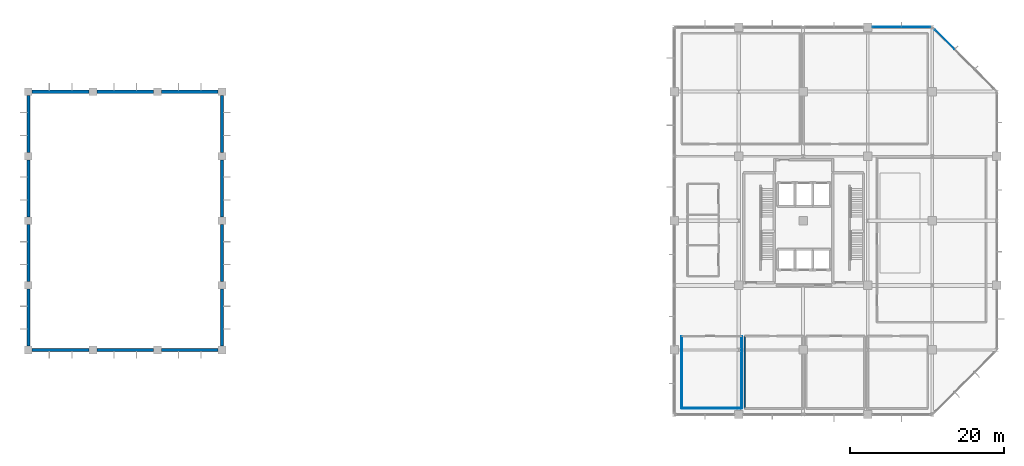
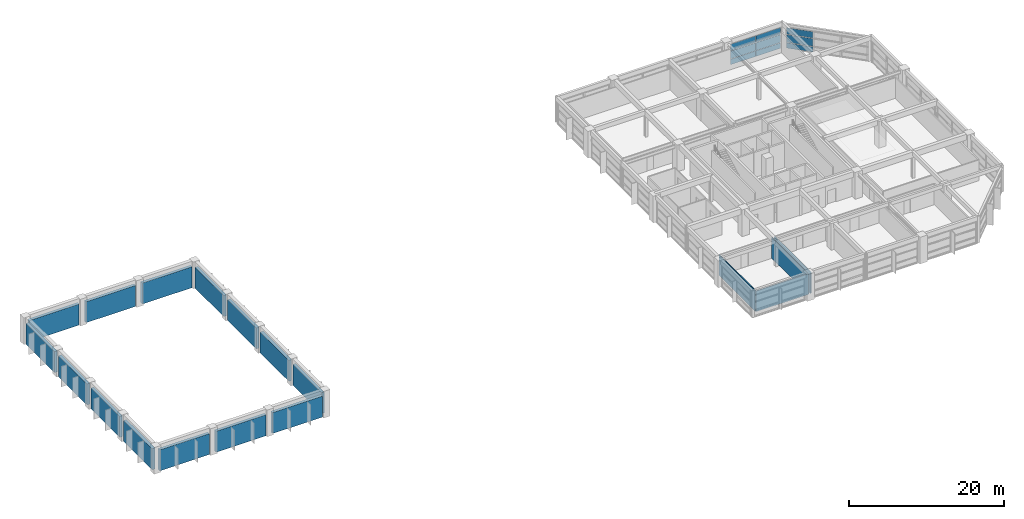
# One storey, part 15 of 19: 18 walls, 9 plates, 2 elements without a shape of their own.
"""IFC4 building model written with IfcOpenShell, lengths in metres."""

from ifc_helpers import new_model, si_unit, direction, frame, frame_2d, origin, origin_2d, place, context, subcontext, project, spatial, rectangle, extrude, material, layer, layer_set, type_object, element, aggregate, save


model = new_model("IFC4")

# Units and contexts
model_context = context("Model", 3, precision=1e-05, world=origin(), true_north=direction((0.0, 1.0)))
body_context = subcontext(model_context, "Body", "Model", "MODEL_VIEW")
ifc_project = project(units=[si_unit("LENGTHUNIT", "METRE"), si_unit("AREAUNIT", "SQUARE_METRE"), si_unit("VOLUMEUNIT", "CUBIC_METRE"), si_unit("PLANEANGLEUNIT", "RADIAN"), si_unit("MASSUNIT", "GRAM", prefix="KILO")], contexts=[model_context])

# Site, building, storey
site_placement = place(None, origin())
site = spatial("IfcSite", under=ifc_project, at=site_placement, CompositionType="ELEMENT")
building_placement = place(site_placement, origin())
building = spatial("IfcBuilding", under=site, at=building_placement, Name="Xuanlan Plaza Opera House", CompositionType="ELEMENT")
storey_placement = place(building_placement, frame((0.0, 0.0, 36.300048828125)))
storey = spatial("IfcBuildingStorey", under=building, at=storey_placement, Name="L08", CompositionType="ELEMENT", Elevation=36.300048828125)

# Curtain wall, plates
ifc_material_1 = material(Name="Anodised Aluminium 6063-T6 and Low-E Glass", Category="aluminium")
curtain_wall_type_1 = type_object("IfcCurtainWallType", Name="ENV-CW-CW-01", PredefinedType="USERDEFINED", material=ifc_material_1)
curtain_wall_1_placement = place(storey_placement, origin())
curtain_wall_1 = element("IfcCurtainWall", 1, at=curtain_wall_1_placement, inside=storey, type_object=curtain_wall_type_1, Name="Unitised Curtain Wall L08-011", ObjectType="UNITISED CURTAIN WALL", PredefinedType="USERDEFINED")
ifc_material_2 = material(Name="Laminated Acoustic Double Glazing", Category="glass")
ifc_layer_1 = layer(ifc_material_2, 0.035888671875)
ifc_layer_set_1 = layer_set([ifc_layer_1], Name="Laminated Acoustic Double Glazing")
plate_type_1 = type_object("IfcPlateType", Name="ENV-CWP-03", PredefinedType="CURTAIN_PANEL", material=ifc_layer_set_1)
plate_1_placement = place(storey_placement, frame((157.461181640625, 84.0, 0.06982421875), z_axis=(0.0, 0.0, 1.0), x_axis=(-1.0, 0.0, 0.0)))
plate_1 = element("IfcPlate", 2, at=plate_1_placement, type_object=plate_type_1, Name="CW-01 panel 1.1", PredefinedType="CURTAIN_PANEL", context=body_context, shape_type="SweptSolid", body=[
    extrude(rectangle(XDim=3.70751953125, YDim=0.035888671875, at=origin_2d()), origin(), (0.0, 0.0, 1.0), 0.844970703125),
])
plate_2_placement = place(storey_placement, frame((157.461181640625, 84.0, 0.98486328125), z_axis=(0.0, 0.0, 1.0), x_axis=(-1.0, 0.0, 0.0)))
plate_2 = element("IfcPlate", 3, at=plate_2_placement, type_object=plate_type_1, Name="CW-01 panel 1.2", PredefinedType="CURTAIN_PANEL", context=body_context, shape_type="SweptSolid", body=[
    extrude(rectangle(XDim=3.70751953125, YDim=0.035888671875, at=origin_2d()), origin(), (0.0, 0.0, 1.0), 1.22998046875),
])
plate_3_placement = place(storey_placement, frame((157.461181640625, 84.0, 2.284912109375), z_axis=(0.0, 0.0, 1.0), x_axis=(-1.0, 0.0, 0.0)))
plate_3 = element("IfcPlate", 4, at=plate_3_placement, type_object=plate_type_1, Name="CW-01 panel 1.3", PredefinedType="CURTAIN_PANEL", context=body_context, shape_type="SweptSolid", body=[
    extrude(rectangle(XDim=3.70751953125, YDim=0.035888671875, at=origin_2d()), origin(), (0.0, 0.0, 1.0), 1.02490234375),
])
plate_4_placement = place(storey_placement, frame((153.688720703125, 84.0, 0.06982421875), z_axis=(0.0, 0.0, 1.0), x_axis=(-1.0, 0.0, 0.0)))
plate_4 = element("IfcPlate", 5, at=plate_4_placement, type_object=plate_type_1, Name="CW-01 panel 2.1", PredefinedType="CURTAIN_PANEL", context=body_context, shape_type="SweptSolid", body=[
    extrude(rectangle(XDim=3.70751953125, YDim=0.035888671875, at=origin_2d()), origin(), (0.0, 0.0, 1.0), 0.844970703125),
])
plate_5_placement = place(storey_placement, frame((153.688720703125, 84.0, 0.98486328125), z_axis=(0.0, 0.0, 1.0), x_axis=(-1.0, 0.0, 0.0)))
plate_5 = element("IfcPlate", 6, at=plate_5_placement, type_object=plate_type_1, Name="CW-01 panel 2.2", PredefinedType="CURTAIN_PANEL", context=body_context, shape_type="SweptSolid", body=[
    extrude(rectangle(XDim=3.70751953125, YDim=0.035888671875, at=origin_2d()), origin(), (0.0, 0.0, 1.0), 1.22998046875),
])
plate_6_placement = place(storey_placement, frame((153.688720703125, 84.0, 2.284912109375), z_axis=(0.0, 0.0, 1.0), x_axis=(-1.0, 0.0, 0.0)))
plate_6 = element("IfcPlate", 7, at=plate_6_placement, type_object=plate_type_1, Name="CW-01 panel 2.3", PredefinedType="CURTAIN_PANEL", context=body_context, shape_type="SweptSolid", body=[
    extrude(rectangle(XDim=3.70751953125, YDim=0.035888671875, at=origin_2d()), origin(), (0.0, 0.0, 1.0), 1.02490234375),
])
aggregate(curtain_wall_1, [plate_1, plate_2, plate_3, plate_4, plate_5, plate_6])

curtain_wall_type_2 = type_object("IfcCurtainWallType", Name="ENV-CW-CW-04", PredefinedType="USERDEFINED", material=ifc_material_1)
curtain_wall_2_placement = place(storey_placement, origin())
curtain_wall_2 = element("IfcCurtainWall", 8, at=curtain_wall_2_placement, inside=storey, type_object=curtain_wall_type_2, Name="Unitised Curtain Wall L08-010", ObjectType="UNITISED CURTAIN WALL", PredefinedType="USERDEFINED")
ifc_layer_2 = layer(ifc_material_2, 0.0439453125)
ifc_layer_set_2 = layer_set([ifc_layer_2], Name="Laminated Acoustic Double Glazing")
plate_type_2 = type_object("IfcPlateType", Name="ENV-CWP-05", PredefinedType="CURTAIN_PANEL", material=ifc_layer_set_2)
plate_7_placement = place(storey_placement, frame((161.21533203125, 82.384765625, 0.090087890625), z_axis=(0.0, 0.0, 1.0), x_axis=(-0.707106781187, 0.707106781187, 0.0)))
plate_7 = element("IfcPlate", 9, at=plate_7_placement, type_object=plate_type_2, Name="CW-04 panel 3.1", PredefinedType="CURTAIN_PANEL", context=body_context, shape_type="SweptSolid", body=[
    extrude(rectangle(XDim=3.54296875, YDim=0.0439453125, at=origin_2d()), origin(), (0.0, 0.0, 1.0), 0.81494140625),
])
plate_8_placement = place(storey_placement, frame((161.21533203125, 82.384765625, 0.994873046875), z_axis=(0.0, 0.0, 1.0), x_axis=(-0.707106781187, 0.707106781187, 0.0)))
plate_8 = element("IfcPlate", 10, at=plate_8_placement, type_object=plate_type_2, Name="CW-04 panel 3.2", PredefinedType="CURTAIN_PANEL", context=body_context, shape_type="SweptSolid", body=[
    extrude(rectangle(XDim=3.54296875, YDim=0.0439453125, at=origin_2d()), origin(), (0.0, 0.0, 1.0), 1.2099609375),
])
plate_9_placement = place(storey_placement, frame((161.21533203125, 82.384765625, 2.294921875), z_axis=(0.0, 0.0, 1.0), x_axis=(-0.707106781187, 0.707106781187, 0.0)))
plate_9 = element("IfcPlate", 11, at=plate_9_placement, type_object=plate_type_2, Name="CW-04 panel 3.3", PredefinedType="CURTAIN_PANEL", context=body_context, shape_type="SweptSolid", body=[
    extrude(rectangle(XDim=3.54296875, YDim=0.0439453125, at=origin_2d()), origin(), (0.0, 0.0, 1.0), 0.9951171875),
])
aggregate(curtain_wall_2, [plate_7, plate_8, plate_9])

# Walls
ifc_material_3 = material(Name="Concrete C40", Category="concrete")
ifc_layer_3 = layer(ifc_material_3, 0.419921875)
ifc_layer_set_3 = layer_set([ifc_layer_3], Name="Concrete C40")
wall_type_1 = type_object("IfcWallType", Name="ENV-WL-EW-FLY", PredefinedType="SHEAR", material=ifc_layer_set_3)
wall_1_placement = place(storey_placement, frame((42.5, 42.0, 0.0), z_axis=(0.0, 0.0, 1.0), x_axis=(1.0, 0.0, 0.0)))
element("IfcWall", 12, at=wall_1_placement, inside=storey, type_object=wall_type_1, Name="Fly Tower Acoustic Enclosure Wall L08-01", PredefinedType="SHEAR", context=body_context, shape_type="SweptSolid", body=[
    extrude(rectangle(XDim=7.39990234375, YDim=0.419921875, at=frame_2d((3.699951171875, 0.0))), origin(), (0.0, 0.0, 1.0), 3.300048828125),
])
wall_2_placement = place(storey_placement, frame((50.89990234375, 42.0, 0.0), z_axis=(0.0, 0.0, 1.0), x_axis=(1.0, 0.0, 0.0)))
element("IfcWall", 13, at=wall_2_placement, inside=storey, type_object=wall_type_1, Name="Fly Tower Acoustic Enclosure Wall L08-02", PredefinedType="SHEAR", context=body_context, shape_type="SweptSolid", body=[
    extrude(rectangle(XDim=7.400146484375, YDim=0.419921875, at=frame_2d((3.7001953125, 0.0))), origin(), (0.0, 0.0, 1.0), 3.300048828125),
])
for number, where, z_axis, x_axis, name in (
    (14, (59.300048828125, 42.0, 0.0), (0.0, 0.0, 1.0), (1.0, 0.0, 0.0), "Fly Tower Acoustic Enclosure Wall L08-03"),
    (15, (67.199951171875, 42.5, 0.0), (0.0, 0.0, 1.0), (0.0, 1.0, 0.0), "Fly Tower Acoustic Enclosure Wall L08-04"),
):
    element("IfcWall", number, at=place(storey_placement, frame(where, z_axis=z_axis, x_axis=x_axis)), inside=storey, type_object=wall_type_1, Name=name, PredefinedType="SHEAR", context=body_context, shape_type="SweptSolid", body=[
        extrude(rectangle(XDim=7.39990234375, YDim=0.419921875, at=frame_2d((3.699951171875, 0.0))), origin(), (0.0, 0.0, 1.0), 3.300048828125),
    ])
wall_3_placement = place(storey_placement, frame((67.199951171875, 50.89990234375, 0.0), z_axis=(0.0, 0.0, 1.0), x_axis=(0.0, 1.0, 0.0)))
element("IfcWall", 16, at=wall_3_placement, inside=storey, type_object=wall_type_1, Name="Fly Tower Acoustic Enclosure Wall L08-05", PredefinedType="SHEAR", context=body_context, shape_type="SweptSolid", body=[
    extrude(rectangle(XDim=7.400146484375, YDim=0.419921875, at=frame_2d((3.7001953125, 0.0))), origin(), (0.0, 0.0, 1.0), 3.300048828125),
])
wall_4_placement = place(storey_placement, frame((67.199951171875, 59.300048828125, 0.0), z_axis=(0.0, 0.0, 1.0), x_axis=(0.0, 1.0, 0.0)))
element("IfcWall", 17, at=wall_4_placement, inside=storey, type_object=wall_type_1, Name="Fly Tower Acoustic Enclosure Wall L08-06", PredefinedType="SHEAR", context=body_context, shape_type="SweptSolid", body=[
    extrude(rectangle(XDim=7.39990234375, YDim=0.419921875, at=frame_2d((3.699951171875, 0.0))), origin(), (0.0, 0.0, 1.0), 3.300048828125),
])
wall_5_placement = place(storey_placement, frame((67.199951171875, 67.699951171875, 0.0), z_axis=(0.0, 0.0, 1.0), x_axis=(0.0, 1.0, 0.0)))
element("IfcWall", 18, at=wall_5_placement, inside=storey, type_object=wall_type_1, Name="Fly Tower Acoustic Enclosure Wall L08-07", PredefinedType="SHEAR", context=body_context, shape_type="SweptSolid", body=[
    extrude(rectangle(XDim=7.400146484375, YDim=0.419921875, at=frame_2d((3.7001953125, 0.0))), origin(), (0.0, 0.0, 1.0), 3.300048828125),
])
wall_6_placement = place(storey_placement, frame((66.699951171875, 75.60009765625, 0.0), z_axis=(0.0, 0.0, 1.0), x_axis=(-1.0, 0.0, 0.0)))
element("IfcWall", 19, at=wall_6_placement, inside=storey, type_object=wall_type_1, Name="Fly Tower Acoustic Enclosure Wall L08-08", PredefinedType="SHEAR", context=body_context, shape_type="SweptSolid", body=[
    extrude(rectangle(XDim=7.39990234375, YDim=0.419921875, at=frame_2d((3.699951171875, 0.0))), origin(), (0.0, 0.0, 1.0), 3.300048828125),
])
wall_7_placement = place(storey_placement, frame((58.300048828125, 75.60009765625, 0.0), z_axis=(0.0, 0.0, 1.0), x_axis=(-1.0, 0.0, 0.0)))
element("IfcWall", 20, at=wall_7_placement, inside=storey, type_object=wall_type_1, Name="Fly Tower Acoustic Enclosure Wall L08-09", PredefinedType="SHEAR", context=body_context, shape_type="SweptSolid", body=[
    extrude(rectangle(XDim=7.400146484375, YDim=0.419921875, at=frame_2d((3.7001953125, 0.0))), origin(), (0.0, 0.0, 1.0), 3.300048828125),
])
wall_8_placement = place(storey_placement, frame((49.89990234375, 75.60009765625, 0.0), z_axis=(0.0, 0.0, 1.0), x_axis=(-1.0, 0.0, 0.0)))
element("IfcWall", 21, at=wall_8_placement, inside=storey, type_object=wall_type_1, Name="Fly Tower Acoustic Enclosure Wall L08-10", PredefinedType="SHEAR", context=body_context, shape_type="SweptSolid", body=[
    extrude(rectangle(XDim=7.39990234375, YDim=0.419921875, at=frame_2d((3.699951171875, 0.0))), origin(), (0.0, 0.0, 1.0), 3.300048828125),
])
wall_9_placement = place(storey_placement, frame((42.0, 75.10009765625, 0.0), z_axis=(0.0, 0.0, 1.0), x_axis=(0.0, -1.0, 0.0)))
element("IfcWall", 22, at=wall_9_placement, inside=storey, type_object=wall_type_1, Name="Fly Tower Acoustic Enclosure Wall L08-11", PredefinedType="SHEAR", context=body_context, shape_type="SweptSolid", body=[
    extrude(rectangle(XDim=7.400146484375, YDim=0.419921875, at=frame_2d((3.7001953125, 0.0))), origin(), (0.0, 0.0, 1.0), 3.300048828125),
])
wall_10_placement = place(storey_placement, frame((42.0, 66.699951171875, 0.0), z_axis=(0.0, 0.0, 1.0), x_axis=(0.0, -1.0, 0.0)))
element("IfcWall", 23, at=wall_10_placement, inside=storey, type_object=wall_type_1, Name="Fly Tower Acoustic Enclosure Wall L08-12", PredefinedType="SHEAR", context=body_context, shape_type="SweptSolid", body=[
    extrude(rectangle(XDim=7.39990234375, YDim=0.419921875, at=frame_2d((3.699951171875, 0.0))), origin(), (0.0, 0.0, 1.0), 3.300048828125),
])
wall_11_placement = place(storey_placement, frame((42.0, 58.300048828125, 0.0), z_axis=(0.0, 0.0, 1.0), x_axis=(0.0, -1.0, 0.0)))
element("IfcWall", 24, at=wall_11_placement, inside=storey, type_object=wall_type_1, Name="Fly Tower Acoustic Enclosure Wall L08-13", PredefinedType="SHEAR", context=body_context, shape_type="SweptSolid", body=[
    extrude(rectangle(XDim=7.400146484375, YDim=0.419921875, at=frame_2d((3.7001953125, 0.0))), origin(), (0.0, 0.0, 1.0), 3.300048828125),
])
wall_12_placement = place(storey_placement, frame((42.0, 49.89990234375, 0.0), z_axis=(0.0, 0.0, 1.0), x_axis=(0.0, -1.0, 0.0)))
element("IfcWall", 25, at=wall_12_placement, inside=storey, type_object=wall_type_1, Name="Fly Tower Acoustic Enclosure Wall L08-14", PredefinedType="SHEAR", context=body_context, shape_type="SweptSolid", body=[
    extrude(rectangle(XDim=7.39990234375, YDim=0.419921875, at=frame_2d((3.699951171875, 0.0))), origin(), (0.0, 0.0, 1.0), 3.300048828125),
])
ifc_material_4 = material(Name="Gypsum Board and Galvanised Steel Studs", Category="gypsum")
ifc_layer_4 = layer(ifc_material_4, 0.179931640625)
ifc_layer_set_4 = layer_set([ifc_layer_4], Name="Gypsum Board and Galvanised Steel Studs")
wall_type_2 = type_object("IfcWallType", Name="INT-WL-PW-02", PredefinedType="PARTITIONING", material=ifc_layer_set_4)
wall_13_placement = place(storey_placement, frame((135.199951171875, 34.39990234375, 0.0), z_axis=(0.0, 0.0, 1.0), x_axis=(0.0, 1.0, 0.0)))
element("IfcWall", 26, at=wall_13_placement, inside=storey, type_object=wall_type_2, Name="Cultural Administration Office 2 Wall West", PredefinedType="PARTITIONING", context=body_context, shape_type="SweptSolid", body=[
    extrude(rectangle(XDim=9.400146484375, YDim=0.179931640625, at=frame_2d((4.7001953125, 0.0))), origin(), (0.0, 0.0, 1.0), 3.239990234375),
])
ifc_layer_5 = layer(ifc_material_4, 0.1201171875)
ifc_layer_set_5 = layer_set([ifc_layer_5], Name="Gypsum Board and Galvanised Steel Studs")
wall_type_3 = type_object("IfcWallType", Name="INT-WL-PW-04", PredefinedType="PARTITIONING", material=ifc_layer_set_5)
wall_14_placement = place(storey_placement, frame((127.0, 34.39990234375, 0.0), z_axis=(0.0, 0.0, 1.0), x_axis=(1.0, 0.0, 0.0)))
element("IfcWall", 27, at=wall_14_placement, inside=storey, type_object=wall_type_3, Name="Cultural Administration Office 1 Wall South", PredefinedType="PARTITIONING", context=body_context, shape_type="SweptSolid", body=[
    extrude(rectangle(XDim=7.800048828125, YDim=0.1201171875, at=frame_2d((3.89990234375, 0.0))), origin(), (0.0, 0.0, 1.0), 3.239990234375),
])
for number, where, z_axis, x_axis, name in (
    (28, (127.0, 34.39990234375, 0.0), (0.0, 0.0, 1.0), (0.0, 1.0, 0.0), "Cultural Administration Office 1 Wall West"),
    (29, (134.800048828125, 34.39990234375, 0.0), (0.0, 0.0, 1.0), (0.0, 1.0, 0.0), "Cultural Administration Office 1 Wall East"),
):
    element("IfcWall", number, at=place(storey_placement, frame(where, z_axis=z_axis, x_axis=x_axis)), inside=storey, type_object=wall_type_3, Name=name, PredefinedType="PARTITIONING", context=body_context, shape_type="SweptSolid", body=[
        extrude(rectangle(XDim=9.400146484375, YDim=0.1201171875, at=frame_2d((4.7001953125, 0.0))), origin(), (0.0, 0.0, 1.0), 3.239990234375),
    ])

save(model, "model.ifc")
